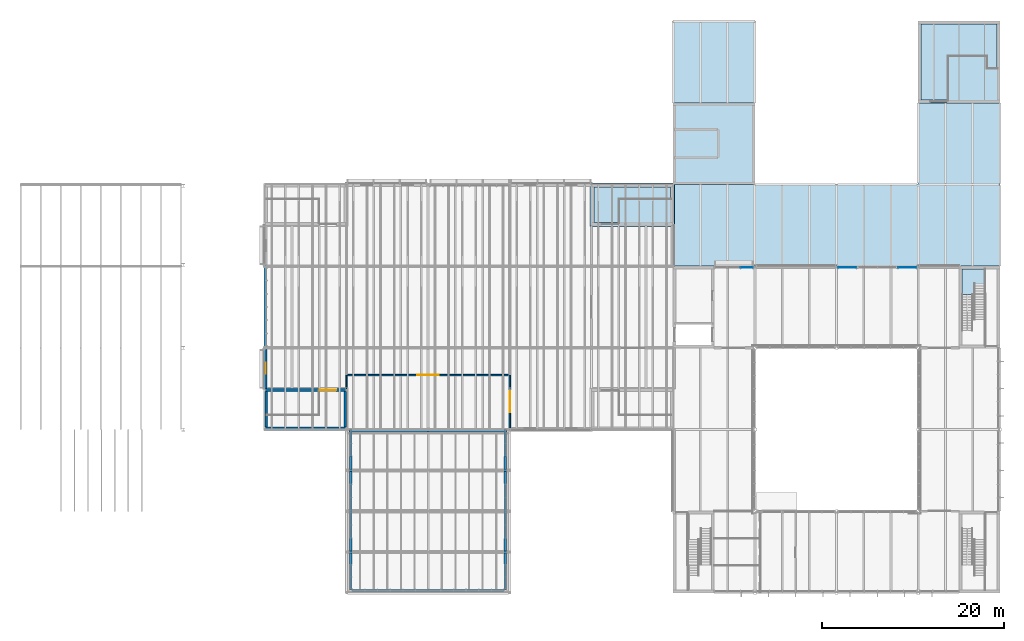
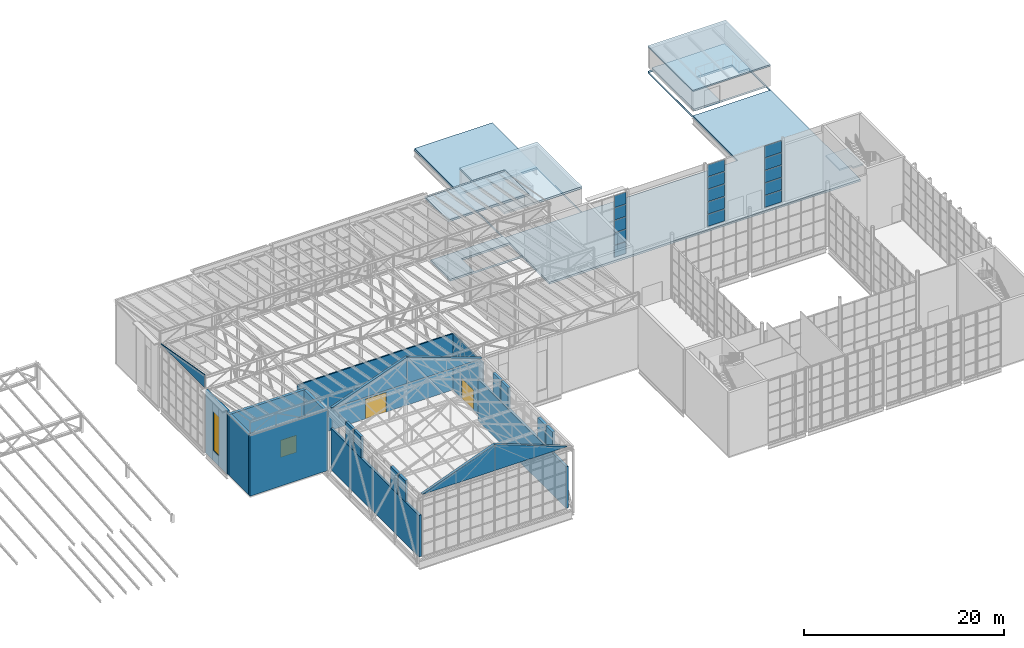
# One storey, part 74 of 90: 23 walls, 15 plates, 7 slabs, 3 doors, 1 window, 4 openings, 4 elements without a shape of their own.
"""IFC4 building model written with IfcOpenShell, lengths in metres."""

from ifc_helpers import new_model, si_unit, direction, frame, frame_2d, origin, origin_2d, place, context, subcontext, project, spatial, polyline, rectangle, outline, extrude, material, layer, layer_set, type_object, element, fill, aggregate, save


model = new_model("IFC4")

# Units and contexts
model_context = context("Model", 3, precision=1e-05, world=origin(), true_north=direction((0.0, 1.0)))
body_context = subcontext(model_context, "Body", "Model", "MODEL_VIEW")
ifc_project = project(units=[si_unit("LENGTHUNIT", "METRE"), si_unit("AREAUNIT", "SQUARE_METRE"), si_unit("VOLUMEUNIT", "CUBIC_METRE"), si_unit("PLANEANGLEUNIT", "RADIAN"), si_unit("MASSUNIT", "GRAM", prefix="KILO")], contexts=[model_context])

# Site, building, storey
site_placement = place(None, origin())
site = spatial("IfcSite", under=ifc_project, at=site_placement, CompositionType="ELEMENT")
building_placement = place(site_placement, origin())
building = spatial("IfcBuilding", under=site, at=building_placement, Name="Halyard Row Museum", CompositionType="ELEMENT")
storey_placement = place(building_placement, frame((0.0, 0.0, 13.39990234375)))
storey = spatial("IfcBuildingStorey", under=building, at=storey_placement, Name="L03", CompositionType="ELEMENT", Elevation=13.39990234375)

# Slabs
ifc_material_1 = material(Name="Concrete 40 MPa", Category="concrete")
ifc_layer_1 = layer(ifc_material_1, 0.25)
ifc_layer_set_1 = layer_set([ifc_layer_1], Name="Concrete 40 MPa")
slab_type_1 = type_object("IfcSlabType", Name="Core floor slab 250", PredefinedType="FLOOR", material=ifc_layer_set_1)
slab_1_placement = place(storey_placement, frame((0.0, 0.0, -0.25)))
element("IfcSlab", 1, at=slab_1_placement, inside=storey, type_object=slab_type_1, Name="Core floor K1B L03", PredefinedType="FLOOR", context=body_context, shape_type="SweptSolid", body=[
    extrude(outline(polyline([(71.699951171875, 44.699951171875), (63.300048828125, 44.699951171875), (63.300048828125, 40.800048828125), (71.699951171875, 40.800048828125), (71.699951171875, 44.699951171875)]), holes=[polyline([(71.697021484375, 43.346923828125), (71.697021484375, 40.802978515625), (66.10302734375, 40.802978515625), (66.10302734375, 43.346923828125), (71.697021484375, 43.346923828125)])]), origin(), (0.0, 0.0, 1.0), 0.25),
])
slab_2_placement = place(storey_placement, frame((0.0, 0.0, -0.25)))
element("IfcSlab", 2, at=slab_2_placement, inside=storey, type_object=slab_type_1, Name="Core floor K5B L03", PredefinedType="FLOOR", context=body_context, shape_type="SweptSolid", body=[
    extrude(outline(polyline([(107.699951171875, 62.699951171875), (99.300048828125, 62.699951171875), (99.300048828125, 54.300048828125), (107.699951171875, 54.300048828125), (107.699951171875, 62.699951171875)]), holes=[polyline([(106.4970703125, 59.096923828125), (106.4970703125, 57.737060546875), (107.697021484375, 57.737060546875), (107.697021484375, 54.302978515625), (102.35302734375, 54.302978515625), (102.35302734375, 59.096923828125), (106.4970703125, 59.096923828125)])]), origin(), (0.0, 0.0, 1.0), 0.25),
])
ifc_material_2 = material(Name="Concrete 40 MPa", Category="concrete")
ifc_layer_2 = layer(ifc_material_2, 0.1650390625)
ifc_layer_set_2 = layer_set([ifc_layer_2], Name="Concrete 40 MPa")
slab_type_2 = type_object("IfcSlabType", Name="Core roof slab 165", PredefinedType="ROOF", material=ifc_layer_set_2)
slab_3_placement = place(storey_placement, frame((0.0, 0.0, 2.43505859375)))
element("IfcSlab", 3, at=slab_3_placement, inside=storey, type_object=slab_type_2, Name="Core roof K5B", PredefinedType="ROOF", context=body_context, shape_type="SweptSolid", body=[
    extrude(outline(polyline([(99.0, 54.0), (108.0, 54.0), (108.0, 63.0), (99.0, 63.0), (99.0, 54.0)])), origin(), (0.0, 0.0, 1.0), 0.1650390625),
])
ifc_material_3 = material(Name="Concrete 40 MPa", Category="concrete")
ifc_layer_3 = layer(ifc_material_3, 0.25)
ifc_layer_set_3 = layer_set([ifc_layer_3], Name="Concrete 40 MPa")
slab_type_3 = type_object("IfcSlabType", Name="Core roof slab 250", PredefinedType="ROOF", material=ifc_layer_set_3)
slab_4_placement = place(storey_placement, frame((0.0, 0.0, 2.35009765625)))
element("IfcSlab", 4, at=slab_4_placement, inside=storey, type_object=slab_type_3, Name="Core roof K8", PredefinedType="ROOF", context=body_context, shape_type="SweptSolid", body=[
    extrude(outline(polyline([(72.0, 45.0), (81.0, 45.0), (81.0, 54.0), (72.0, 54.0), (72.0, 45.0)])), origin(), (0.0, 0.0, 1.0), 0.25),
])
ifc_material_4 = material(Name="Concrete 40 MPa", Category="concrete")
ifc_layer_4 = layer(ifc_material_4, 0.25)
ifc_layer_set_4 = layer_set([ifc_layer_4], Name="Concrete 40 MPa")
slab_type_4 = type_object("IfcSlabType", Name="Core roof slab 250 reinforced concrete", PredefinedType="ROOF", material=ifc_layer_set_4)
slab_5_placement = place(storey_placement, frame((0.0, 0.0, 7.42822265625)))
element("IfcSlab", 5, at=slab_5_placement, inside=storey, type_object=slab_type_4, Name="Core roof K1B", PredefinedType="ROOF", context=body_context, shape_type="SweptSolid", body=[
    extrude(outline(polyline([(62.85009765625, 40.35009765625), (62.85009765625, 44.904541015625), (63.0, 44.904541015625), (72.0, 44.904541015625), (72.0, 45.095458984375), (63.0, 45.095458984375), (62.85009765625, 45.095458984375), (62.85009765625, 45.14990234375), (72.0, 45.14990234375), (72.0146484375, 45.149169921875), (72.029296875, 45.147216796875), (72.04345703125, 45.1435546875), (72.057373046875, 45.138671875), (72.07080078125, 45.13232421875), (72.083251953125, 45.124755859375), (72.09521484375, 45.115966796875), (72.10595703125, 45.10595703125), (72.115966796875, 45.09521484375), (72.124755859375, 45.083251953125), (72.13232421875, 45.07080078125), (72.138671875, 45.057373046875), (72.1435546875, 45.04345703125), (72.147216796875, 45.029296875), (72.149169921875, 45.0146484375), (72.14990234375, 45.0), (72.14990234375, 40.35009765625), (62.85009765625, 40.35009765625)])), origin(), (0.0, 0.0, 1.0), 0.25),
])

# Curtain wall, plates
ifc_material_5 = material(Name="Double glazed unit, low-emissivity", Category="glass")
ifc_layer_5 = layer(ifc_material_5, 0.219970703125)
ifc_layer_set_5 = layer_set([ifc_layer_5], Name="Double glazed unit, low-emissivity")
curtain_wall_type = type_object("IfcCurtainWallType", Name="Curtain wall unitised 220 deep", PredefinedType="NOTDEFINED", material=ifc_layer_set_5)
curtain_wall_1_placement = place(storey_placement, origin())
curtain_wall_1 = element("IfcCurtainWall", 6, at=curtain_wall_1_placement, inside=storey, type_object=curtain_wall_type, Name="Curtain wall CW050", PredefinedType="NOTDEFINED")
ifc_material_6 = material(Name="Double glazed unit, low-emissivity", Category="glass")
ifc_layer_6 = layer(ifc_material_6, 0.035888671875)
ifc_layer_set_6 = layer_set([ifc_layer_6], Name="Double glazed unit, low-emissivity")
plate_type = type_object("IfcPlateType", Name="Curtain wall glazed panel CP3 36", PredefinedType="CURTAIN_PANEL", material=ifc_layer_set_6)
plate_1_placement = place(storey_placement, frame((97.800048828125, 35.840087890625, 0.06005859375), z_axis=(0.0, 0.0, 1.0), x_axis=(-1.0, 0.0, 0.0)))
plate_1 = element("IfcPlate", 7, at=plate_1_placement, type_object=plate_type, Name="CW050 panel 1.1", PredefinedType="CURTAIN_PANEL", context=body_context, shape_type="SweptSolid", body=[
    extrude(rectangle(XDim=1.97998046875, YDim=0.035888671875, at=origin_2d()), origin(), (0.0, 0.0, 1.0), 1.43701171875),
])
plate_2_placement = place(storey_placement, frame((97.800048828125, 35.840087890625, 1.55712890625), z_axis=(0.0, 0.0, 1.0), x_axis=(-1.0, 0.0, 0.0)))
plate_2 = element("IfcPlate", 8, at=plate_2_placement, type_object=plate_type, Name="CW050 panel 1.2", PredefinedType="CURTAIN_PANEL", context=body_context, shape_type="SweptSolid", body=[
    extrude(rectangle(XDim=1.97998046875, YDim=0.035888671875, at=origin_2d()), origin(), (0.0, 0.0, 1.0), 1.467041015625),
])
plate_3_placement = place(storey_placement, frame((97.800048828125, 35.840087890625, 3.083984375), z_axis=(0.0, 0.0, 1.0), x_axis=(-1.0, 0.0, 0.0)))
plate_3 = element("IfcPlate", 9, at=plate_3_placement, type_object=plate_type, Name="CW050 panel 1.3", PredefinedType="CURTAIN_PANEL", context=body_context, shape_type="SweptSolid", body=[
    extrude(rectangle(XDim=1.97998046875, YDim=0.035888671875, at=origin_2d()), origin(), (0.0, 0.0, 1.0), 1.467041015625),
])
plate_4_placement = place(storey_placement, frame((97.800048828125, 35.840087890625, 4.61083984375), z_axis=(0.0, 0.0, 1.0), x_axis=(-1.0, 0.0, 0.0)))
plate_4 = element("IfcPlate", 10, at=plate_4_placement, type_object=plate_type, Name="CW050 panel 1.4", PredefinedType="CURTAIN_PANEL", context=body_context, shape_type="SweptSolid", body=[
    extrude(rectangle(XDim=1.97998046875, YDim=0.035888671875, at=origin_2d()), origin(), (0.0, 0.0, 1.0), 1.467041015625),
])
plate_5_placement = place(storey_placement, frame((97.800048828125, 35.840087890625, 6.13818359375), z_axis=(0.0, 0.0, 1.0), x_axis=(-1.0, 0.0, 0.0)))
plate_5 = element("IfcPlate", 11, at=plate_5_placement, type_object=plate_type, Name="CW050 panel 1.5", PredefinedType="CURTAIN_PANEL", context=body_context, shape_type="SweptSolid", body=[
    extrude(rectangle(XDim=1.97998046875, YDim=0.035888671875, at=origin_2d()), origin(), (0.0, 0.0, 1.0), 1.43701171875),
])
aggregate(curtain_wall_1, [plate_1, plate_2, plate_3, plate_4, plate_5])

curtain_wall_2_placement = place(storey_placement, origin())
curtain_wall_2 = element("IfcCurtainWall", 12, at=curtain_wall_2_placement, inside=storey, type_object=curtain_wall_type, Name="Curtain wall CW051", PredefinedType="NOTDEFINED")
plate_6_placement = place(storey_placement, frame((91.199951171875, 35.840087890625, 0.06005859375), z_axis=(0.0, 0.0, 1.0), x_axis=(-1.0, 0.0, 0.0)))
plate_6 = element("IfcPlate", 13, at=plate_6_placement, type_object=plate_type, Name="CW051 panel 1.1", PredefinedType="CURTAIN_PANEL", context=body_context, shape_type="SweptSolid", body=[
    extrude(rectangle(XDim=1.97998046875, YDim=0.035888671875, at=origin_2d()), origin(), (0.0, 0.0, 1.0), 1.43701171875),
])
plate_7_placement = place(storey_placement, frame((91.199951171875, 35.840087890625, 1.55712890625), z_axis=(0.0, 0.0, 1.0), x_axis=(-1.0, 0.0, 0.0)))
plate_7 = element("IfcPlate", 14, at=plate_7_placement, type_object=plate_type, Name="CW051 panel 1.2", PredefinedType="CURTAIN_PANEL", context=body_context, shape_type="SweptSolid", body=[
    extrude(rectangle(XDim=1.97998046875, YDim=0.035888671875, at=origin_2d()), origin(), (0.0, 0.0, 1.0), 1.467041015625),
])
plate_8_placement = place(storey_placement, frame((91.199951171875, 35.840087890625, 3.083984375), z_axis=(0.0, 0.0, 1.0), x_axis=(-1.0, 0.0, 0.0)))
plate_8 = element("IfcPlate", 15, at=plate_8_placement, type_object=plate_type, Name="CW051 panel 1.3", PredefinedType="CURTAIN_PANEL", context=body_context, shape_type="SweptSolid", body=[
    extrude(rectangle(XDim=1.97998046875, YDim=0.035888671875, at=origin_2d()), origin(), (0.0, 0.0, 1.0), 1.467041015625),
])
plate_9_placement = place(storey_placement, frame((91.199951171875, 35.840087890625, 4.61083984375), z_axis=(0.0, 0.0, 1.0), x_axis=(-1.0, 0.0, 0.0)))
plate_9 = element("IfcPlate", 16, at=plate_9_placement, type_object=plate_type, Name="CW051 panel 1.4", PredefinedType="CURTAIN_PANEL", context=body_context, shape_type="SweptSolid", body=[
    extrude(rectangle(XDim=1.97998046875, YDim=0.035888671875, at=origin_2d()), origin(), (0.0, 0.0, 1.0), 1.467041015625),
])
plate_10_placement = place(storey_placement, frame((91.199951171875, 35.840087890625, 6.13818359375), z_axis=(0.0, 0.0, 1.0), x_axis=(-1.0, 0.0, 0.0)))
plate_10 = element("IfcPlate", 17, at=plate_10_placement, type_object=plate_type, Name="CW051 panel 1.5", PredefinedType="CURTAIN_PANEL", context=body_context, shape_type="SweptSolid", body=[
    extrude(rectangle(XDim=1.97998046875, YDim=0.035888671875, at=origin_2d()), origin(), (0.0, 0.0, 1.0), 1.43701171875),
])
aggregate(curtain_wall_2, [plate_6, plate_7, plate_8, plate_9, plate_10])

curtain_wall_3_placement = place(storey_placement, origin())
curtain_wall_3 = element("IfcCurtainWall", 18, at=curtain_wall_3_placement, inside=storey, type_object=curtain_wall_type, Name="Curtain wall CW052", PredefinedType="NOTDEFINED")
plate_11_placement = place(storey_placement, frame((80.110107421875, 35.840087890625, 0.06005859375), z_axis=(0.0, 0.0, 1.0), x_axis=(-1.0, 0.0, 0.0)))
plate_11 = element("IfcPlate", 19, at=plate_11_placement, type_object=plate_type, Name="CW052 panel 1.1", PredefinedType="CURTAIN_PANEL", context=body_context, shape_type="SweptSolid", body=[
    extrude(rectangle(XDim=1.360107421875, YDim=0.035888671875, at=origin_2d()), origin(), (0.0, 0.0, 1.0), 1.43701171875),
])
plate_12_placement = place(storey_placement, frame((80.110107421875, 35.840087890625, 1.55712890625), z_axis=(0.0, 0.0, 1.0), x_axis=(-1.0, 0.0, 0.0)))
plate_12 = element("IfcPlate", 20, at=plate_12_placement, type_object=plate_type, Name="CW052 panel 1.2", PredefinedType="CURTAIN_PANEL", context=body_context, shape_type="SweptSolid", body=[
    extrude(rectangle(XDim=1.360107421875, YDim=0.035888671875, at=origin_2d()), origin(), (0.0, 0.0, 1.0), 1.467041015625),
])
plate_13_placement = place(storey_placement, frame((80.110107421875, 35.840087890625, 3.083984375), z_axis=(0.0, 0.0, 1.0), x_axis=(-1.0, 0.0, 0.0)))
plate_13 = element("IfcPlate", 21, at=plate_13_placement, type_object=plate_type, Name="CW052 panel 1.3", PredefinedType="CURTAIN_PANEL", context=body_context, shape_type="SweptSolid", body=[
    extrude(rectangle(XDim=1.360107421875, YDim=0.035888671875, at=origin_2d()), origin(), (0.0, 0.0, 1.0), 1.467041015625),
])
plate_14_placement = place(storey_placement, frame((80.110107421875, 35.840087890625, 4.61083984375), z_axis=(0.0, 0.0, 1.0), x_axis=(-1.0, 0.0, 0.0)))
plate_14 = element("IfcPlate", 22, at=plate_14_placement, type_object=plate_type, Name="CW052 panel 1.4", PredefinedType="CURTAIN_PANEL", context=body_context, shape_type="SweptSolid", body=[
    extrude(rectangle(XDim=1.360107421875, YDim=0.035888671875, at=origin_2d()), origin(), (0.0, 0.0, 1.0), 1.467041015625),
])
plate_15_placement = place(storey_placement, frame((80.110107421875, 35.840087890625, 6.13818359375), z_axis=(0.0, 0.0, 1.0), x_axis=(-1.0, 0.0, 0.0)))
plate_15 = element("IfcPlate", 23, at=plate_15_placement, type_object=plate_type, Name="CW052 panel 1.5", PredefinedType="CURTAIN_PANEL", context=body_context, shape_type="SweptSolid", body=[
    extrude(rectangle(XDim=1.360107421875, YDim=0.035888671875, at=origin_2d()), origin(), (0.0, 0.0, 1.0), 1.43701171875),
])
aggregate(curtain_wall_3, [plate_11, plate_12, plate_13, plate_14, plate_15])

# Stair, slab
ifc_material_7 = material(Name="Concrete 40 MPa", Category="concrete")
stair_type = type_object("IfcStairType", Name="Exit stair four flights 1200", PredefinedType="DOUBLE_RETURN_STAIR", material=ifc_material_7)
stair_placement = place(storey_placement, origin())
stair = element("IfcStair", 24, at=stair_placement, inside=storey, type_object=stair_type, Name="Exit stair K2C L03", PredefinedType="DOUBLE_RETURN_STAIR")
ifc_material_8 = material(Name="Concrete 40 MPa", Category="concrete")
ifc_layer_7 = layer(ifc_material_8, 0.199951171875)
ifc_layer_set_7 = layer_set([ifc_layer_7], Name="Concrete 40 MPa")
slab_type_5 = type_object("IfcSlabType", Name="Exit stair landing 200", PredefinedType="LANDING", material=ifc_layer_set_7)
slab_6_placement = place(storey_placement, frame((0.0, 0.0, 3.86962890625)))
slab_6 = element("IfcSlab", 25, at=slab_6_placement, type_object=slab_type_5, Name="STK2C-L03 landing 2", PredefinedType="LANDING", context=body_context, shape_type="SweptSolid", body=[
    extrude(outline(polyline([(106.35009765625, 35.699951171875), (103.800048828125, 35.699951171875), (103.800048828125, 32.89697265625), (105.14990234375, 32.89697265625), (105.14990234375, 32.550048828125), (106.35009765625, 32.550048828125), (106.35009765625, 35.699951171875)])), origin(), (0.0, 0.0, 1.0), 0.199951171875),
])
aggregate(stair, [slab_6])

# Slab
ifc_material_9 = material(Name="Concrete 40 MPa", Category="concrete")
ifc_layer_8 = layer(ifc_material_9, 0.25)
ifc_layer_set_8 = layer_set([ifc_layer_8], Name="Concrete 40 MPa")
slab_type_6 = type_object("IfcSlabType", Name="Roof garden slab", PredefinedType="ROOF", material=ifc_layer_set_8)
slab_7_placement = place(storey_placement, frame((0.0, 0.0, -0.75)))
element("IfcSlab", 26, at=slab_7_placement, inside=storey, type_object=slab_type_6, Name="Roof garden slab L03-02", PredefinedType="ROOF", context=body_context, shape_type="SweptSolid", body=[
    extrude(outline(polyline([(72.0, 40.5), (72.009033203125, 40.5), (72.009033203125, 36.0), (76.5, 36.0), (76.5, 36.009033203125), (103.5, 36.009033203125), (103.5, 36.0), (108.0, 36.0), (108.0, 63.0), (99.0, 63.0), (99.0, 45.0), (81.0, 45.0), (81.0, 63.0), (72.0, 63.0), (72.0, 40.5)]), holes=[polyline([(80.9951171875, 45.0048828125), (72.0048828125, 45.0048828125), (72.0048828125, 53.9951171875), (80.9951171875, 53.9951171875), (80.9951171875, 45.0048828125)]), polyline([(107.9951171875, 54.0048828125), (99.0048828125, 54.0048828125), (99.0048828125, 62.9951171875), (107.9951171875, 62.9951171875), (107.9951171875, 54.0048828125)])]), origin(), (0.0, 0.0, 1.0), 0.25),
])

# Walls
ifc_material_10 = material(Name="Concrete 40 MPa", Category="concrete")
ifc_layer_9 = layer(ifc_material_10, 0.300048828125)
ifc_layer_set_9 = layer_set([ifc_layer_9], Name="Concrete 40 MPa")
wall_type_1 = type_object("IfcWallType", Name="Exitway wall 300 reinforced concrete", PredefinedType="SOLIDWALL", material=ifc_layer_set_9)
wall_1_placement = place(storey_placement, frame((27.0, 18.14990234375, 0.0), z_axis=(0.0, 0.0, 1.0), x_axis=(1.0, 0.0, 0.0)))
element("IfcWall", 27, at=wall_1_placement, inside=storey, type_object=wall_type_1, Name="Core wall K1D S L03", PredefinedType="SOLIDWALL", context=body_context, shape_type="SweptSolid", body=[
    extrude(rectangle(XDim=9.0, YDim=0.300048828125, at=frame_2d((4.5, 0.0))), origin(), (0.0, 0.0, 1.0), 7.42822265625),
])
wall_2_placement = place(storey_placement, frame((35.85009765625, 18.300048828125, 0.0), z_axis=(0.0, 0.0, 1.0), x_axis=(0.0, 1.0, 0.0)))
element("IfcWall", 28, at=wall_2_placement, inside=storey, type_object=wall_type_1, Name="Core wall K1D E L03", PredefinedType="SOLIDWALL", context=body_context, shape_type="SweptSolid", body=[
    extrude(rectangle(XDim=3.89990234375, YDim=0.300048828125, at=frame_2d((1.949951171875, 0.0))), origin(), (0.0, 0.0, 1.0), 7.42822265625),
])

# Wall, opening, door
wall_3_placement = place(storey_placement, frame((27.0, 22.35009765625, 0.0), z_axis=(0.0, 0.0, 1.0), x_axis=(1.0, 0.0, 0.0)))
wall_3 = element("IfcWall", 29, at=wall_3_placement, inside=storey, type_object=wall_type_1, Name="Core wall K1D N L03", PredefinedType="SOLIDWALL", context=body_context, shape_type="SweptSolid", body=[
    extrude(rectangle(XDim=9.0, YDim=0.300048828125, at=frame_2d((4.5, 0.0))), origin(), (0.0, 0.0, 1.0), 7.42822265625),
])
opening_1_placement = place(wall_3_placement, frame((6.050048828125, 0.0, 0.0)))
opening_1 = element("IfcOpeningElement", 30, at=opening_1_placement, cuts=wall_3, Name="Opening DL03-004", PredefinedType="OPENING", context=body_context, shape_type="SweptSolid", body=[
    extrude(rectangle(XDim=1.800048828125, YDim=2.10009765625, at=frame_2d((0.89990234375, 1.050048828125))), frame((0.0, 0.159912109375, 0.0), z_axis=(0.0, -1.0, 0.0), x_axis=(1.0, 0.0, 0.0)), (0.0, 0.0, 1.0), 0.320068359375),
])
ifc_material_11 = material(Name="Fire-resisting timber door leaf and steel frame", Category="steel")
door_type_1 = type_object("IfcDoorType", Name="Exitway door 1800 x 2100 fire rated", OperationType="NOTDEFINED", PredefinedType="DOOR", material=ifc_material_11)
door_1_placement = place(opening_1_placement, frame((1.800048828125, 0.0, 0.0), z_axis=(0.0, 0.0, 1.0), x_axis=(-1.0, 0.0, 0.0)))
door_1 = element("IfcDoor", 31, at=door_1_placement, inside=storey, type_object=door_type_1, Name="Exitway door K1D L03", OperationType="DOUBLE_DOOR_SINGLE_SWING", OverallHeight=2.10009765625, OverallWidth=1.800048828125, PredefinedType="DOOR", context=body_context, shape_type="SweptSolid", body=[
    extrude(rectangle(XDim=1.800048828125, YDim=2.10009765625, at=frame_2d((0.89990234375, 1.050048828125))), frame((0.0, 0.02490234375, 0.0), z_axis=(0.0, -1.0, 0.0), x_axis=(1.0, 0.0, 0.0)), (0.0, 0.0, 1.0), 0.050048828125),
])
fill(opening_1, door_1)

# Walls
wall_4_placement = place(storey_placement, frame((27.14990234375, 18.300048828125, 0.0), z_axis=(0.0, 0.0, 1.0), x_axis=(0.0, 1.0, 0.0)))
element("IfcWall", 32, at=wall_4_placement, inside=storey, type_object=wall_type_1, Name="Core wall K1D W L03", PredefinedType="SOLIDWALL", context=body_context, shape_type="SweptSolid", body=[
    extrude(rectangle(XDim=3.89990234375, YDim=0.300048828125, at=frame_2d((1.949951171875, 0.0))), origin(), (0.0, 0.0, 1.0), 7.42822265625),
])
ifc_material_12 = material(Name="Aluminium glazing frame with laminated glass", Category="aluminium")
ifc_layer_10 = layer(ifc_material_12, 0.10009765625)
ifc_layer_set_10 = layer_set([ifc_layer_10], Name="Aluminium glazing frame with laminated glass")
wall_type_2 = type_object("IfcWallType", Name="Gable glazed infill frame 100", PredefinedType="SOLIDWALL", material=ifc_layer_set_10)
wall_5_placement = place(storey_placement, frame((27.10009765625, 27.174560546875, 7.67822265625), z_axis=(0.0, 0.0, 1.0), x_axis=(0.0, 1.0, 0.0)))
element("IfcWall", 33, at=wall_5_placement, inside=storey, type_object=wall_type_2, Name="Wall WL03-815", PredefinedType="SOLIDWALL", context=body_context, shape_type="SweptSolid", body=[
    extrude(outline(polyline([(0.0, 0.0), (8.825439453125, 0.0), (8.825439453125, 0.050048828125), (0.0, 1.60009765625), (0.0, 0.0)])), frame((0.0, 0.050048828125, 0.0), z_axis=(0.0, -1.0, 0.0), x_axis=(1.0, 0.0, 0.0)), (0.0, 0.0, 1.0), 0.10009765625),
])
ifc_material_13 = material(Name="Plasterboard on steel studs with mineral wool", Category="steel")
ifc_layer_11 = layer(ifc_material_13, 0.14990234375)
ifc_layer_set_11 = layer_set([ifc_layer_11], Name="Plasterboard on steel studs with mineral wool")
wall_type_3 = type_object("IfcWallType", Name="Gallery wall 150", PredefinedType="PARTITIONING", material=ifc_layer_set_11)
wall_6_placement = place(storey_placement, frame((36.0, 22.5, 0.0), z_axis=(0.0, 0.0, 1.0), x_axis=(0.0, 1.0, 0.0)))
element("IfcWall", 34, at=wall_6_placement, inside=storey, type_object=wall_type_3, Name="Partition Cantilever Gallery / Grand Gallery", PredefinedType="PARTITIONING", context=body_context, shape_type="SweptSolid", body=[
    extrude(rectangle(XDim=1.5, YDim=0.14990234375, at=frame_2d((0.75, 0.0))), origin(), (0.0, 0.0, 1.0), 6.880126953125),
])

# Wall, opening, door
wall_7_placement = place(storey_placement, frame((36.0, 24.0, 0.0), z_axis=(0.0, 0.0, 1.0), x_axis=(1.0, 0.0, 0.0)))
wall_7 = element("IfcWall", 35, at=wall_7_placement, inside=storey, type_object=wall_type_3, Name="Partition Cantilever Gallery / Grand Gallery", PredefinedType="PARTITIONING", context=body_context, shape_type="SweptSolid", body=[
    extrude(rectangle(XDim=18.0, YDim=0.14990234375, at=frame_2d((9.0, 0.0))), origin(), (0.0, 0.0, 1.0), 6.880126953125),
])
opening_2_placement = place(wall_7_placement, frame((7.784912109375, 0.0, 0.0)))
opening_2 = element("IfcOpeningElement", 36, at=opening_2_placement, cuts=wall_7, Name="Opening DL03-010", PredefinedType="OPENING", context=body_context, shape_type="SweptSolid", body=[
    extrude(rectangle(XDim=2.39990234375, YDim=2.39990234375, at=frame_2d((1.199951171875, 1.199951171875))), frame((0.0, 0.0849609375, 0.0), z_axis=(0.0, -1.0, 0.0), x_axis=(1.0, 0.0, 0.0)), (0.0, 0.0, 1.0), 0.169921875),
])
ifc_material_14 = material(Name="Timber veneered door leaf and softwood frame", Category="wood")
door_type_2 = type_object("IfcDoorType", Name="Double door 2400 x 2400 gallery", OperationType="NOTDEFINED", PredefinedType="DOOR", material=ifc_material_14)
door_2_placement = place(opening_2_placement, origin())
door_2 = element("IfcDoor", 37, at=door_2_placement, inside=storey, type_object=door_type_2, Name="Door Cantilever Gallery to Grand Gallery", OperationType="DOUBLE_DOOR_SINGLE_SWING", OverallHeight=2.39990234375, OverallWidth=2.39990234375, PredefinedType="DOOR", context=body_context, shape_type="SweptSolid", body=[
    extrude(rectangle(XDim=2.39990234375, YDim=2.39990234375, at=frame_2d((1.199951171875, 1.199951171875))), frame((0.0, 0.02490234375, 0.0), z_axis=(0.0, -1.0, 0.0), x_axis=(1.0, 0.0, 0.0)), (0.0, 0.0, 1.0), 0.050048828125),
])
fill(opening_2, door_2)

wall_8_placement = place(storey_placement, frame((54.0, 18.0, 0.0), z_axis=(0.0, 0.0, 1.0), x_axis=(0.0, 1.0, 0.0)))
wall_8 = element("IfcWall", 38, at=wall_8_placement, inside=storey, type_object=wall_type_3, Name="Partition Cantilever Gallery / Grand Gallery", PredefinedType="PARTITIONING", context=body_context, shape_type="SweptSolid", body=[
    extrude(rectangle(XDim=6.0, YDim=0.14990234375, at=frame_2d((3.0, 0.0))), origin(), (0.0, 0.0, 1.0), 6.880126953125),
])
opening_3_placement = place(wall_8_placement, frame((1.881591796875, 0.0, 0.0)))
opening_3 = element("IfcOpeningElement", 39, at=opening_3_placement, cuts=wall_8, Name="Opening DL03-011", PredefinedType="OPENING", context=body_context, shape_type="SweptSolid", body=[
    extrude(rectangle(XDim=2.39990234375, YDim=2.39990234375, at=frame_2d((1.199951171875, 1.199951171875))), frame((0.0, 0.0849609375, 0.0), z_axis=(0.0, -1.0, 0.0), x_axis=(1.0, 0.0, 0.0)), (0.0, 0.0, 1.0), 0.169921875),
])
door_3_placement = place(opening_3_placement, origin())
door_3 = element("IfcDoor", 40, at=door_3_placement, inside=storey, type_object=door_type_2, Name="Door Cantilever Gallery to Grand Gallery", OperationType="DOUBLE_DOOR_SINGLE_SWING", OverallHeight=2.39990234375, OverallWidth=2.39990234375, PredefinedType="DOOR", context=body_context, shape_type="SweptSolid", body=[
    extrude(rectangle(XDim=2.39990234375, YDim=2.39990234375, at=frame_2d((1.199951171875, 1.199951171875))), frame((0.0, 0.02490234375, 0.0), z_axis=(0.0, -1.0, 0.0), x_axis=(1.0, 0.0, 0.0)), (0.0, 0.0, 1.0), 0.050048828125),
])
fill(opening_3, door_3)

# Walls
ifc_material_15 = material(Name="Pre-weathered zinc rainscreen on insulated steel-stud wall", Category="steel")
ifc_layer_12 = layer(ifc_material_15, 0.280029296875)
ifc_layer_set_12 = layer_set([ifc_layer_12], Name="Pre-weathered zinc rainscreen on insulated steel-stud wall")
wall_type_4 = type_object("IfcWallType", Name="Rainscreen wall 280 zinc-clad", PredefinedType="SOLIDWALL", material=ifc_layer_set_12)
for number, where, z_axis, x_axis, name in (
    (41, (36.489990234375, 0.35009765625, 0.0), (0.0, 0.0, 1.0), (0.0, 1.0, 0.0), "Wall WL03-809"),
    (42, (53.510009765625, 0.35009765625, 0.0), (0.0, 0.0, 1.0), (0.0, 1.0, 0.0), "Wall WL03-810"),
):
    element("IfcWall", number, at=place(storey_placement, frame(where, z_axis=z_axis, x_axis=x_axis)), inside=storey, type_object=wall_type_4, Name=name, PredefinedType="SOLIDWALL", context=body_context, shape_type="SweptSolid", body=[
        extrude(rectangle(XDim=17.64990234375, YDim=0.280029296875, at=frame_2d((8.824951171875, 0.0))), origin(), (0.0, 0.0, 1.0), 5.07275390625),
    ])
wall_9_placement = place(storey_placement, frame((36.489990234375, 3.083251953125, 5.07275390625), z_axis=(0.0, 0.0, 1.0), x_axis=(0.0, 1.0, 0.0)))
element("IfcWall", 43, at=wall_9_placement, inside=storey, type_object=wall_type_4, Name="Wall WL03-900", PredefinedType="SOLIDWALL", context=body_context, shape_type="SweptSolid", body=[
    extrude(rectangle(XDim=1.316650390625, YDim=0.280029296875, at=frame_2d((0.658203125, 0.0))), origin(), (0.0, 0.0, 1.0), 2.60009765625),
])
for number, where, z_axis, x_axis, name in (
    (44, (36.489990234375, 4.60009765625, 5.07275390625), (0.0, 0.0, 1.0), (0.0, 1.0, 0.0), "Wall WL03-901"),
    (45, (36.489990234375, 11.966552734375, 5.07275390625), (0.0, 0.0, 1.0), (0.0, 1.0, 0.0), "Wall WL03-902"),
    (46, (36.489990234375, 13.60009765625, 5.07275390625), (0.0, 0.0, 1.0), (0.0, 1.0, 0.0), "Wall WL03-903"),
):
    element("IfcWall", number, at=place(storey_placement, frame(where, z_axis=z_axis, x_axis=x_axis)), inside=storey, type_object=wall_type_4, Name=name, PredefinedType="SOLIDWALL", context=body_context, shape_type="SweptSolid", body=[
        extrude(rectangle(XDim=1.433349609375, YDim=0.280029296875, at=frame_2d((0.716796875, 0.0))), origin(), (0.0, 0.0, 1.0), 2.60009765625),
    ])
wall_10_placement = place(storey_placement, frame((53.510009765625, 3.083251953125, 5.07275390625), z_axis=(0.0, 0.0, 1.0), x_axis=(0.0, 1.0, 0.0)))
element("IfcWall", 47, at=wall_10_placement, inside=storey, type_object=wall_type_4, Name="Wall WL03-904", PredefinedType="SOLIDWALL", context=body_context, shape_type="SweptSolid", body=[
    extrude(rectangle(XDim=1.316650390625, YDim=0.280029296875, at=frame_2d((0.658203125, 0.0))), origin(), (0.0, 0.0, 1.0), 2.60009765625),
])
for number, where, z_axis, x_axis, name in (
    (48, (53.510009765625, 4.60009765625, 5.07275390625), (0.0, 0.0, 1.0), (0.0, 1.0, 0.0), "Wall WL03-905"),
    (49, (53.510009765625, 11.966552734375, 5.07275390625), (0.0, 0.0, 1.0), (0.0, 1.0, 0.0), "Wall WL03-906"),
    (50, (53.510009765625, 13.60009765625, 5.07275390625), (0.0, 0.0, 1.0), (0.0, 1.0, 0.0), "Wall WL03-907"),
):
    element("IfcWall", number, at=place(storey_placement, frame(where, z_axis=z_axis, x_axis=x_axis)), inside=storey, type_object=wall_type_4, Name=name, PredefinedType="SOLIDWALL", context=body_context, shape_type="SweptSolid", body=[
        extrude(rectangle(XDim=1.433349609375, YDim=0.280029296875, at=frame_2d((0.716796875, 0.0))), origin(), (0.0, 0.0, 1.0), 2.60009765625),
    ])
wall_11_placement = place(storey_placement, frame((36.6298828125, 0.27490234375, 7.6728515625), z_axis=(0.0, 0.0, 1.0), x_axis=(1.0, 0.0, 0.0)))
element("IfcWall", 51, at=wall_11_placement, inside=storey, type_object=wall_type_4, Name="Wall WL03-811", PredefinedType="SOLIDWALL", context=body_context, shape_type="SweptSolid", body=[
    extrude(outline(polyline([(0.0, 0.0), (8.3701171875, 0.0), (8.3701171875, 3.207275390625), (0.0, 0.0498046875), (0.0, 0.0)])), frame((0.0, 0.14013671875, 0.0), z_axis=(0.0, -1.0, 0.0), x_axis=(1.0, 0.0, 0.0)), (0.0, 0.0, 1.0), 0.280029296875),
])
wall_12_placement = place(storey_placement, frame((45.0, 0.27490234375, 7.6728515625), z_axis=(0.0, 0.0, 1.0), x_axis=(1.0, 0.0, 0.0)))
element("IfcWall", 52, at=wall_12_placement, inside=storey, type_object=wall_type_4, Name="Wall WL03-812", PredefinedType="SOLIDWALL", context=body_context, shape_type="SweptSolid", body=[
    extrude(outline(polyline([(0.0, 0.0), (8.3701171875, 0.0), (8.3701171875, 0.0498046875), (0.0, 3.207275390625), (0.0, 0.0)])), frame((0.0, 0.14013671875, 0.0), z_axis=(0.0, -1.0, 0.0), x_axis=(1.0, 0.0, 0.0)), (0.0, 0.0, 1.0), 0.280029296875),
])
wall_13_placement = place(storey_placement, frame((36.300048828125, 17.860107421875, 7.6728515625), z_axis=(0.0, 0.0, 1.0), x_axis=(1.0, 0.0, 0.0)))
element("IfcWall", 53, at=wall_13_placement, inside=storey, type_object=wall_type_4, Name="Wall WL03-816", PredefinedType="SOLIDWALL", context=body_context, shape_type="SweptSolid", body=[
    extrude(outline(polyline([(0.0, 0.0), (8.699951171875, 0.0), (8.699951171875, 3.207275390625), (0.0, 0.0498046875), (0.0, 0.0)])), frame((0.0, 0.14013671875, 0.0), z_axis=(0.0, -1.0, 0.0), x_axis=(1.0, 0.0, 0.0)), (0.0, 0.0, 1.0), 0.280029296875),
])
wall_14_placement = place(storey_placement, frame((45.0, 17.860107421875, 7.6728515625), z_axis=(0.0, 0.0, 1.0), x_axis=(1.0, 0.0, 0.0)))
element("IfcWall", 54, at=wall_14_placement, inside=storey, type_object=wall_type_4, Name="Wall WL03-817", PredefinedType="SOLIDWALL", context=body_context, shape_type="SweptSolid", body=[
    extrude(outline(polyline([(0.0, 0.0), (8.699951171875, 0.0), (8.699951171875, 0.0498046875), (0.0, 3.207275390625), (0.0, 0.0)])), frame((0.0, 0.14013671875, 0.0), z_axis=(0.0, -1.0, 0.0), x_axis=(1.0, 0.0, 0.0)), (0.0, 0.0, 1.0), 0.280029296875),
])

# Wall, opening, window
ifc_material_16 = material(Name="Fire-retardant timber rainscreen on insulated steel-stud wall", Category="steel")
ifc_layer_13 = layer(ifc_material_16, 0.300048828125)
ifc_layer_set_13 = layer_set([ifc_layer_13], Name="Fire-retardant timber rainscreen on insulated steel-stud wall")
wall_type_5 = type_object("IfcWallType", Name="Rainscreen wall 300 timber-clad", PredefinedType="SOLIDWALL", material=ifc_layer_set_13)
wall_15_placement = place(storey_placement, frame((27.090087890625, 22.5, 0.0), z_axis=(0.0, 0.0, 1.0), x_axis=(0.0, 1.0, 0.0)))
wall_15 = element("IfcWall", 55, at=wall_15_placement, inside=storey, type_object=wall_type_5, Name="Wall WL03-808", PredefinedType="SOLIDWALL", context=body_context, shape_type="SweptSolid", body=[
    extrude(rectangle(XDim=4.35009765625, YDim=0.300048828125, at=frame_2d((2.175048828125, 0.0))), origin(), (0.0, 0.0, 1.0), 7.67822265625),
])
opening_4_placement = place(wall_15_placement, frame((1.64990234375, 0.0, 1.199951171875)))
opening_4 = element("IfcOpeningElement", 56, at=opening_4_placement, cuts=wall_15, Name="Opening WNL03-807", PredefinedType="OPENING", context=body_context, shape_type="SweptSolid", body=[
    extrude(rectangle(XDim=1.199951171875, YDim=4.800048828125, at=frame_2d((0.60009765625, 2.39990234375))), frame((0.0, 0.159912109375, 0.0), z_axis=(0.0, -1.0, 0.0), x_axis=(1.0, 0.0, 0.0)), (0.0, 0.0, 1.0), 0.320068359375),
])
ifc_material_17 = material(Name="Double glazed unit, low-emissivity", Category="glass")
window_type = type_object("IfcWindowType", Name="Window WN2 1200 x 4800", PartitioningType="SINGLE_PANEL", PredefinedType="WINDOW", material=ifc_material_17)
window_placement = place(opening_4_placement, origin())
window = element("IfcWindow", 57, at=window_placement, inside=storey, type_object=window_type, Name="Window WNL03-807", OverallHeight=4.800048828125, OverallWidth=1.199951171875, PartitioningType="SINGLE_PANEL", PredefinedType="WINDOW", context=body_context, shape_type="SweptSolid", body=[
    extrude(rectangle(XDim=1.199951171875, YDim=4.800048828125, at=frame_2d((0.60009765625, 2.39990234375))), frame((0.0, 0.030029296875, 0.0), z_axis=(0.0, -1.0, 0.0), x_axis=(1.0, 0.0, 0.0)), (0.0, 0.0, 1.0), 0.06005859375),
])
fill(opening_4, window)

save(model, "model.ifc")
